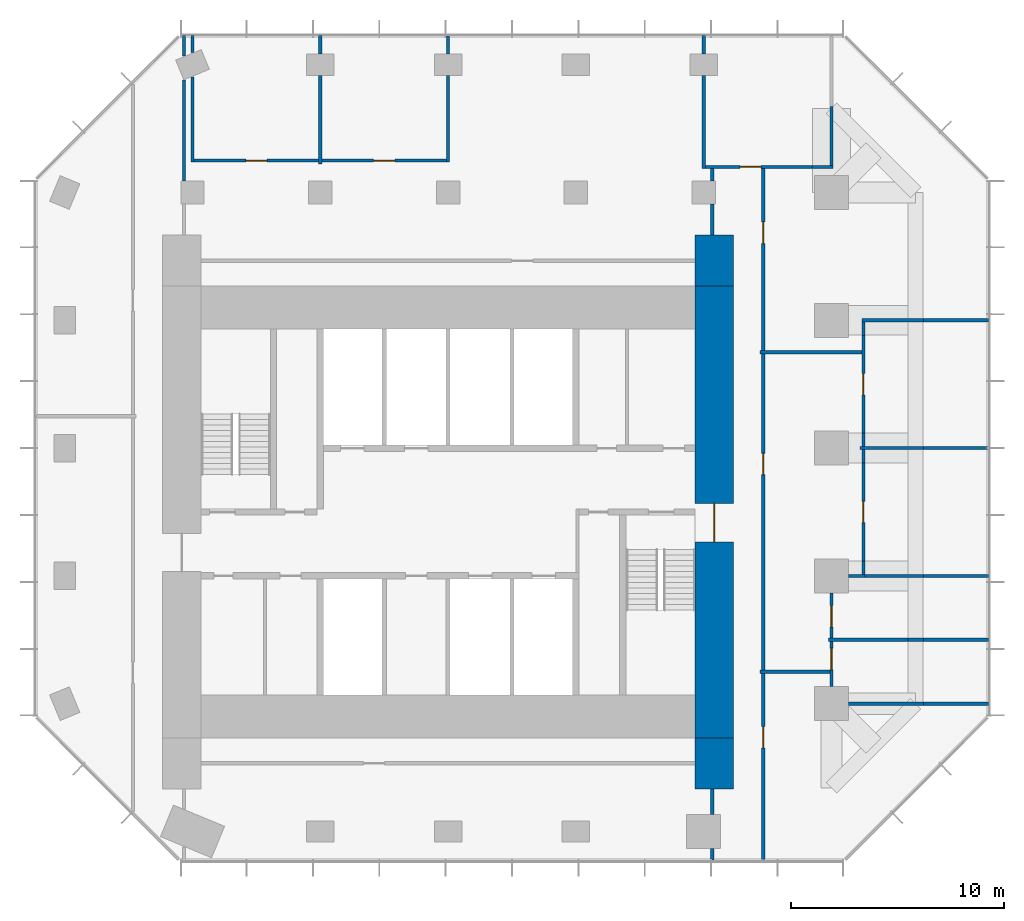
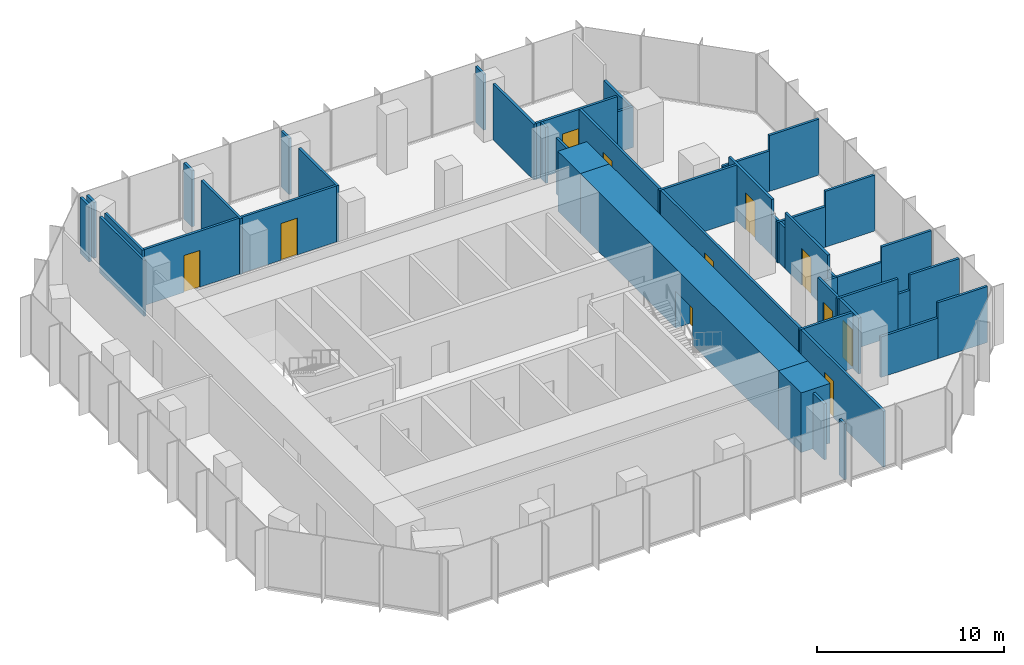
# One storey, part 9 of 11: 47 walls, 11 doors, 11 openings.
"""IFC4 building model written with IfcOpenShell, lengths in metres."""

import ifcopenshell
import ifcopenshell.guid

model = None  # the IFC model being written
_history = None  # IfcOwnerHistory: only IFC2X3 demands one
_inside = {}  # id of a spatial element -> (the spatial element, [elements in it])
_under = {}  # id of a project, library or spatial element -> (it, [spatial elements below it])
_declared = {}  # id of a project -> (the project, [libraries it declares])
_typed = {}  # id of a type object -> (the type object, [elements of that type])
_made_of = {}  # id of a material, layer set ... -> (it, [elements and type objects made of it])


def new_model(schema):
    """Start an empty IFC model of exactly this schema.

    Asked for "IFC4X3", IfcOpenShell would pick the latest addendum, in which some entities
    have other attributes; the version numbers below select the first issue.
    IFC2X3 requires an IfcOwnerHistory on every rooted entity: one is made here for all.
    """
    global model, _history
    if schema == "IFC4X3":
        model = ifcopenshell.file(schema_version=(4, 3, 0, 0))
    else:
        model = ifcopenshell.file(schema=schema)
    _inside.clear()
    _under.clear()
    _declared.clear()
    _typed.clear()
    _made_of.clear()
    _history = None
    if model.schema == "IFC2X3":
        org = make("IfcOrganization", Name="unknown")
        user = make(
            "IfcPersonAndOrganization",
            ThePerson=make("IfcPerson", FamilyName="unknown"),
            TheOrganization=org,
        )
        app = make(
            "IfcApplication",
            ApplicationDeveloper=org,
            Version="unknown",
            ApplicationFullName="unknown",
            ApplicationIdentifier="unknown",
        )
        _history = make(
            "IfcOwnerHistory",
            OwningUser=user,
            OwningApplication=app,
            ChangeAction="ADDED",
            CreationDate=0,
        )
    return model


def make(cls, **values):
    """One entity of the class cls with the attributes given. An attribute that is None is left unset."""
    return model.create_entity(
        cls, **{name: value for name, value in values.items() if value is not None}
    )


def rooted(cls, **values):
    """An entity with a GlobalId (a new one), such as an element, a storey or a relation."""
    return make(cls, GlobalId=ifcopenshell.guid.new(), OwnerHistory=_history, **values)


def si_unit(unit_type, name, prefix=None):
    """IfcSIUnit, for example si_unit("LENGTHUNIT", "METRE", prefix="MILLI")."""
    return make("IfcSIUnit", UnitType=unit_type, Prefix=prefix, Name=name)


def assignment(units):
    """IfcUnitAssignment: the units of a project."""
    return None if units is None else make("IfcUnitAssignment", Units=units)


def point(xyz):
    """IfcCartesianPoint."""
    return None if xyz is None else make("IfcCartesianPoint", Coordinates=xyz)


def direction(xyz):
    """IfcDirection."""
    return None if xyz is None else make("IfcDirection", DirectionRatios=xyz)


def frame(location, z_axis=None, x_axis=None):
    """IfcAxis2Placement3D, a coordinate frame: its origin and axes. An axis left out is left unset."""
    return make(
        "IfcAxis2Placement3D",
        Location=point(location),
        Axis=direction(z_axis),
        RefDirection=direction(x_axis),
    )


def frame_2d(location, x_axis=None):
    """IfcAxis2Placement2D, a coordinate frame in the plane: its origin and x axis."""
    return make(
        "IfcAxis2Placement2D", Location=point(location), RefDirection=direction(x_axis)
    )


def origin():
    """The frame at (0, 0, 0) with its axes left unset."""
    return frame((0.0, 0.0, 0.0))


def place(relative_to, where):
    """IfcLocalPlacement: puts the frame where relative to a parent placement (None: the world)."""
    return make(
        "IfcLocalPlacement", PlacementRelTo=relative_to, RelativePlacement=where
    )


def context(
    kind, dimensions, precision=None, world=None, true_north=None, identifier=None
):
    """IfcGeometricRepresentationContext, for example the 3D "Model" context."""
    return make(
        "IfcGeometricRepresentationContext",
        ContextIdentifier=identifier,
        ContextType=kind,
        CoordinateSpaceDimension=dimensions,
        Precision=precision,
        WorldCoordinateSystem=world,
        TrueNorth=true_north,
    )


def subcontext(parent, identifier, kind, view, scale=None):
    """IfcGeometricRepresentationSubContext, for example "Body" below "Model"."""
    return make(
        "IfcGeometricRepresentationSubContext",
        ContextIdentifier=identifier,
        ContextType=kind,
        ParentContext=parent,
        TargetScale=scale,
        TargetView=view,
    )


def project(units=None, contexts=None):
    """IfcProject with its units and contexts."""
    return rooted(
        "IfcProject",
        Name="project",
        RepresentationContexts=contexts,
        UnitsInContext=assignment(units),
    )


def spatial(cls, under=None, at=None, **own):
    """A site, building, storey or space (cls), placed at a placement, below another one or the project."""
    s = rooted(cls, ObjectPlacement=at, **own)
    if under is not None:
        _under.setdefault(under.id(), (under, []))[1].append(s)
    return s


def profile(cls, at=None, kind="AREA", **sizes):
    """A parametric profile (cls). Its sizes go by their IFC names, for example OverallWidth=200.0."""
    return make(cls, ProfileType=kind, Position=at, **sizes)


def rectangle(**sizes):
    """IfcRectangleProfileDef."""
    return profile("IfcRectangleProfileDef", **sizes)


def extrude(swept, where, along, depth):
    """IfcExtrudedAreaSolid: the profile swept, set in the frame where, extruded along a direction by depth."""
    return make(
        "IfcExtrudedAreaSolid",
        SweptArea=swept,
        Position=where,
        ExtrudedDirection=direction(along),
        Depth=depth,
    )


def shape(context_of_items, identifier, shape_type, items):
    """IfcShapeRepresentation: the items that make up one representation, for example the "Body"."""
    return make(
        "IfcShapeRepresentation",
        ContextOfItems=context_of_items,
        RepresentationIdentifier=identifier,
        RepresentationType=shape_type,
        Items=items,
    )


def material(Name=None, Category=None):
    """IfcMaterial."""
    return make("IfcMaterial", Name=Name, Category=Category)


def layer(
    of_material, thickness, ventilated=None, Name=None, Category=None, Priority=None
):
    """IfcMaterialLayer: one layer of a wall or slab, of a material (None: an air gap)."""
    return make(
        "IfcMaterialLayer",
        Material=of_material,
        LayerThickness=thickness,
        IsVentilated=ventilated,
        Name=Name,
        Category=Category,
        Priority=Priority,
    )


def layer_set(layers, Name=None):
    """IfcMaterialLayerSet."""
    return make("IfcMaterialLayerSet", MaterialLayers=layers, LayerSetName=Name)


def made_of(thing, what):
    """Note that an element or type object is made of a material, layer set ...; save() writes the relation."""
    if what is not None:
        _made_of.setdefault(what.id(), (what, []))[1].append(thing)
    return thing


def type_object(cls, material=None, **own):
    """A type object (cls), such as IfcWallType, which elements share."""
    return made_of(rooted(cls, **own), material)


def element(
    cls,
    number,
    at=None,
    inside=None,
    cuts=None,
    type_object=None,
    material=None,
    context=None,
    identifier="Body",
    shape_type=None,
    held_by="IfcProductDefinitionShape",
    body=None,
    shapes=None,
    **own,
):
    """One element of the class cls, such as IfcWall. Its Tag is "e" and its number.

    at: its placement. inside: the storey or other place that contains it. cuts: it is an
    opening in that element (IfcRelVoidsElement). A single representation is given by context,
    identifier, shape_type and body (its items); several are given by shapes. held_by: the class
    of the entity that holds the representations. save() writes the other relations.
    """
    e = rooted(cls, Tag="e%d" % number, ObjectPlacement=at, **own)
    if body is not None:
        shapes = [shape(context, identifier, shape_type, body)]
    if shapes is not None:
        e.Representation = make(held_by, Representations=shapes)
    if inside is not None:
        _inside.setdefault(inside.id(), (inside, []))[1].append(e)
    if cuts is not None:
        rooted(
            "IfcRelVoidsElement", RelatingBuildingElement=cuts, RelatedOpeningElement=e
        )
    if type_object is not None:
        _typed.setdefault(type_object.id(), (type_object, []))[1].append(e)
    return made_of(e, material)


def fill(opening, filler):
    """IfcRelFillsElement: the door or window that sits in an opening."""
    return rooted(
        "IfcRelFillsElement",
        RelatingOpeningElement=opening,
        RelatedBuildingElement=filler,
    )


def aggregate(whole, parts):
    """IfcRelAggregates: a whole, such as a stair, and the parts it consists of."""
    return rooted("IfcRelAggregates", RelatingObject=whole, RelatedObjects=parts)


def save(model, path):
    """Write the relations noted so far, then the file.

    IfcRelAggregates (storeys below a building ...), IfcRelContainedInSpatialStructure (elements
    in a storey), IfcRelDefinesByType, IfcRelAssociatesMaterial and IfcRelDeclares: one each for
    every whole, place, type object, material and project.
    """
    for whole, parts in _under.values():
        aggregate(whole, parts)
    for where, things in _inside.values():
        rooted(
            "IfcRelContainedInSpatialStructure",
            RelatedElements=things,
            RelatingStructure=where,
        )
    for kind, things in _typed.values():
        rooted("IfcRelDefinesByType", RelatedObjects=things, RelatingType=kind)
    for what, things in _made_of.values():
        rooted("IfcRelAssociatesMaterial", RelatedObjects=things, RelatingMaterial=what)
    for by, libraries in _declared.values():
        rooted("IfcRelDeclares", RelatingContext=by, RelatedDefinitions=libraries)
    model.write(path)


model = new_model("IFC4")

# Units and contexts
model_context = context("Model", 3, precision=1e-05, world=origin(), true_north=direction((0.0, 1.0)))
body_context = subcontext(model_context, "Body", "Model", "MODEL_VIEW")
ifc_project = project(units=[si_unit("LENGTHUNIT", "METRE"), si_unit("AREAUNIT", "SQUARE_METRE"), si_unit("VOLUMEUNIT", "CUBIC_METRE"), si_unit("PLANEANGLEUNIT", "RADIAN"), si_unit("MASSUNIT", "GRAM", prefix="KILO")], contexts=[model_context])

# Site, building, storey
site_placement = place(None, origin())
site = spatial("IfcSite", under=ifc_project, at=site_placement, CompositionType="ELEMENT")
building_placement = place(site_placement, origin())
building = spatial("IfcBuilding", under=site, at=building_placement, Name="Highveld Stack Headquarters", CompositionType="ELEMENT")
storey_placement = place(building_placement, frame((0.0, 0.0, 260.60009765625)))
storey = spatial("IfcBuildingStorey", under=building, at=storey_placement, Name="L64", CompositionType="ELEMENT", Elevation=260.60009765625)

# Wall, opening, door
ifc_material_1 = material(Name="Concrete C60/75", Category="concrete")
ifc_layer_1 = layer(ifc_material_1, 1.800048828125)
ifc_layer_set_1 = layer_set([ifc_layer_1], Name="Concrete C60/75")
wall_type_1 = type_object("IfcWallType", Name="CORE WALL 1800 C60/75", PredefinedType="SHEAR", material=ifc_layer_set_1)
wall_1_placement = place(storey_placement, frame((18.5, -7.60009765625, 0.0), z_axis=(0.0, 0.0, 1.0), x_axis=(0.0, 1.0, 0.0)))
wall_1 = element("IfcWall", 1, at=wall_1_placement, inside=storey, type_object=wall_type_1, Name="Core wall E L64", PredefinedType="SHEAR", context=body_context, shape_type="SweptSolid", body=[
    extrude(rectangle(XDim=21.2001953125, YDim=1.800048828125, at=frame_2d((10.60009765625, 0.0))), origin(), (0.0, 0.0, 1.0), 3.89990234375),
])
opening_1_placement = place(wall_1_placement, frame((9.199951171875, 0.0, 0.0)))
opening_1 = element("IfcOpeningElement", 2, at=opening_1_placement, cuts=wall_1, Name="Opening L64-02", PredefinedType="OPENING", context=body_context, shape_type="SweptSolid", body=[
    extrude(rectangle(XDim=1.800048828125, YDim=2.39990234375, at=frame_2d((0.89990234375, 1.199951171875))), frame((0.0, 0.909912109375, 0.0), z_axis=(0.0, -1.0, 0.0), x_axis=(1.0, 0.0, 0.0)), (0.0, 0.0, 1.0), 1.820068359375),
])
ifc_material_2 = material(Name="Steel fire door", Category="steel")
door_type_1 = type_object("IfcDoorType", Name="LOBBY FIRE DOOR D4 1800x2400", OperationType="DOUBLE_DOOR_SINGLE_SWING", PredefinedType="DOOR", material=ifc_material_2)
door_1_placement = place(opening_1_placement, origin())
door_1 = element("IfcDoor", 3, at=door_1_placement, inside=storey, type_object=door_type_1, Name="Core east door L64", OperationType="DOUBLE_DOOR_SINGLE_SWING", OverallHeight=2.39990234375, OverallWidth=1.800048828125, PredefinedType="DOOR", context=body_context, shape_type="SweptSolid", body=[
    extrude(rectangle(XDim=1.800048828125, YDim=2.39990234375, at=frame_2d((0.89990234375, 1.199951171875))), frame((0.0, 0.02490234375, 0.0), z_axis=(0.0, -1.0, 0.0), x_axis=(1.0, 0.0, 0.0)), (0.0, 0.0, 1.0), 0.050048828125),
])
fill(opening_1, door_1)

# Walls
ifc_material_3 = material(Name="Concrete C60/75", Category="concrete")
ifc_layer_2 = layer(ifc_material_3, 1.800048828125)
ifc_layer_set_2 = layer_set([ifc_layer_2], Name="Concrete C60/75")
wall_type_2 = type_object("IfcWallType", Name="CORE WING WALL 1800 C60/75", PredefinedType="SHEAR", material=ifc_layer_set_2)
for number, where, z_axis, x_axis, name in (
    (4, (18.5, -10.0, 0.0), (0.0, 0.0, 1.0), (0.0, 1.0, 0.0), "Core wing wall ES L64"),
    (5, (18.5, 13.60009765625, 0.0), (0.0, 0.0, 1.0), (0.0, 1.0, 0.0), "Core wing wall EN L64"),
):
    element("IfcWall", number, at=place(storey_placement, frame(where, z_axis=z_axis, x_axis=x_axis)), inside=storey, type_object=wall_type_2, Name=name, PredefinedType="SHEAR", context=body_context, shape_type="SweptSolid", body=[
        extrude(rectangle(XDim=2.39990234375, YDim=1.800048828125, at=frame_2d((1.199951171875, 0.0))), origin(), (0.0, 0.0, 1.0), 3.89990234375),
    ])
ifc_material_4 = material(Name="Gypsum plasterboard on steel studs", Category="steel")
ifc_layer_3 = layer(ifc_material_4, 0.14990234375)
ifc_layer_set_3 = layer_set([ifc_layer_3], Name="Gypsum plasterboard on steel studs")
wall_type_3 = type_object("IfcWallType", Name="PARTITION 150 PLASTERBOARD", PredefinedType="PARTITIONING", material=ifc_layer_set_3)
wall_2_placement = place(storey_placement, frame((24.800048828125, -6.0, 0.0), z_axis=(0.0, 0.0, 1.0), x_axis=(1.0, 0.0, 0.0)))
element("IfcWall", 6, at=wall_2_placement, inside=storey, type_object=wall_type_3, Name="Partition Office L64", PredefinedType="PARTITIONING", context=body_context, shape_type="SweptSolid", body=[
    extrude(rectangle(XDim=3.510009765625, YDim=0.14990234375, at=frame_2d((1.7548828125, 0.0))), origin(), (0.0, 0.0, 1.0), 2.64990234375),
])
wall_3_placement = place(storey_placement, frame((28.31005859375, -6.0, 0.0), z_axis=(0.0, 0.0, 1.0), x_axis=(1.0, 0.0, 0.0)))
element("IfcWall", 7, at=wall_3_placement, inside=storey, type_object=wall_type_3, Name="Partition Office L64", PredefinedType="PARTITIONING", context=body_context, shape_type="SweptSolid", body=[
    extrude(rectangle(XDim=3.06494140625, YDim=0.14990234375, at=frame_2d((1.532470703125, 0.0))), origin(), (0.0, 0.0, 1.0), 3.64990234375),
])
wall_4_placement = place(storey_placement, frame((23.85009765625, -3.0, 0.0), z_axis=(0.0, 0.0, 1.0), x_axis=(1.0, 0.0, 0.0)))
element("IfcWall", 8, at=wall_4_placement, inside=storey, type_object=wall_type_3, Name="Partition Office L64", PredefinedType="PARTITIONING", context=body_context, shape_type="SweptSolid", body=[
    extrude(rectangle(XDim=3.739990234375, YDim=0.14990234375, at=frame_2d((1.8701171875, 0.0))), origin(), (0.0, 0.0, 1.0), 3.64990234375),
])
wall_5_placement = place(storey_placement, frame((27.590087890625, -3.0, 0.0), z_axis=(0.0, 0.0, 1.0), x_axis=(1.0, 0.0, 0.0)))
element("IfcWall", 9, at=wall_5_placement, inside=storey, type_object=wall_type_3, Name="Partition Office L64", PredefinedType="PARTITIONING", context=body_context, shape_type="SweptSolid", body=[
    extrude(rectangle(XDim=0.719970703125, YDim=0.14990234375, at=frame_2d((0.35986328125, 0.0))), origin(), (0.0, 0.0, 1.0), 2.64990234375),
])
wall_6_placement = place(storey_placement, frame((28.31005859375, -3.0, 0.0), z_axis=(0.0, 0.0, 1.0), x_axis=(1.0, 0.0, 0.0)))
element("IfcWall", 10, at=wall_6_placement, inside=storey, type_object=wall_type_3, Name="Partition Office L64", PredefinedType="PARTITIONING", context=body_context, shape_type="SweptSolid", body=[
    extrude(rectangle(XDim=3.06494140625, YDim=0.14990234375, at=frame_2d((1.532470703125, 0.0))), origin(), (0.0, 0.0, 1.0), 3.64990234375),
])
wall_7_placement = place(storey_placement, frame((24.800048828125, 0.0, 0.0), z_axis=(0.0, 0.0, 1.0), x_axis=(1.0, 0.0, 0.0)))
element("IfcWall", 11, at=wall_7_placement, inside=storey, type_object=wall_type_3, Name="Partition Office L64", PredefinedType="PARTITIONING", context=body_context, shape_type="SweptSolid", body=[
    extrude(rectangle(XDim=0.77490234375, YDim=0.14990234375, at=frame_2d((0.387451171875, 0.0))), origin(), (0.0, 0.0, 1.0), 2.64990234375),
])
wall_8_placement = place(storey_placement, frame((25.5, 0.0, 0.0), z_axis=(0.0, 0.0, 1.0), x_axis=(1.0, 0.0, 0.0)))
element("IfcWall", 12, at=wall_8_placement, inside=storey, type_object=wall_type_3, Name="Partition Office / Quiet room L64", PredefinedType="PARTITIONING", context=body_context, shape_type="SweptSolid", body=[
    extrude(rectangle(XDim=2.81005859375, YDim=0.14990234375, at=frame_2d((1.405029296875, 0.0))), origin(), (0.0, 0.0, 1.0), 2.64990234375),
])
wall_9_placement = place(storey_placement, frame((28.31005859375, 0.0, 0.0), z_axis=(0.0, 0.0, 1.0), x_axis=(1.0, 0.0, 0.0)))
element("IfcWall", 13, at=wall_9_placement, inside=storey, type_object=wall_type_3, Name="Partition Office / Quiet room L64", PredefinedType="PARTITIONING", context=body_context, shape_type="SweptSolid", body=[
    extrude(rectangle(XDim=3.06494140625, YDim=0.14990234375, at=frame_2d((1.532470703125, 0.0))), origin(), (0.0, 0.0, 1.0), 3.64990234375),
])
wall_10_placement = place(storey_placement, frame((25.35009765625, 6.0, 0.0), z_axis=(0.0, 0.0, 1.0), x_axis=(1.0, 0.0, 0.0)))
element("IfcWall", 14, at=wall_10_placement, inside=storey, type_object=wall_type_3, Name="Partition Quiet room L64", PredefinedType="PARTITIONING", context=body_context, shape_type="SweptSolid", body=[
    extrude(rectangle(XDim=2.9599609375, YDim=0.14990234375, at=frame_2d((1.47998046875, 0.0))), origin(), (0.0, 0.0, 1.0), 2.64990234375),
])
wall_11_placement = place(storey_placement, frame((28.31005859375, 6.0, 0.0), z_axis=(0.0, 0.0, 1.0), x_axis=(1.0, 0.0, 0.0)))
element("IfcWall", 15, at=wall_11_placement, inside=storey, type_object=wall_type_3, Name="Partition Quiet room L64", PredefinedType="PARTITIONING", context=body_context, shape_type="SweptSolid", body=[
    extrude(rectangle(XDim=3.0400390625, YDim=0.14990234375, at=frame_2d((1.52001953125, 0.0))), origin(), (0.0, 0.0, 1.0), 3.64990234375),
])
wall_12_placement = place(storey_placement, frame((25.425048828125, 12.0, 0.0), z_axis=(0.0, 0.0, 1.0), x_axis=(1.0, 0.0, 0.0)))
element("IfcWall", 16, at=wall_12_placement, inside=storey, type_object=wall_type_3, Name="Partition Quiet room L64", PredefinedType="PARTITIONING", context=body_context, shape_type="SweptSolid", body=[
    extrude(rectangle(XDim=2.885009765625, YDim=0.14990234375, at=frame_2d((1.4423828125, 0.0))), origin(), (0.0, 0.0, 1.0), 2.64990234375),
])
wall_13_placement = place(storey_placement, frame((28.31005859375, 12.0, 0.0), z_axis=(0.0, 0.0, 1.0), x_axis=(1.0, 0.0, 0.0)))
element("IfcWall", 17, at=wall_13_placement, inside=storey, type_object=wall_type_3, Name="Partition Quiet room L64", PredefinedType="PARTITIONING", context=body_context, shape_type="SweptSolid", body=[
    extrude(rectangle(XDim=3.06494140625, YDim=0.14990234375, at=frame_2d((1.532470703125, 0.0))), origin(), (0.0, 0.0, 1.0), 3.64990234375),
])

# Wall, opening, door
wall_14_placement = place(storey_placement, frame((18.074951171875, 19.199951171875, 0.0), z_axis=(0.0, 0.0, 1.0), x_axis=(1.0, 0.0, 0.0)))
wall_14 = element("IfcWall", 18, at=wall_14_placement, inside=storey, type_object=wall_type_3, Name="Partition Tea kitchen L64", PredefinedType="PARTITIONING", context=body_context, shape_type="SweptSolid", body=[
    extrude(rectangle(XDim=5.01513671875, YDim=0.14990234375, at=frame_2d((2.507568359375, 0.0))), origin(), (0.0, 0.0, 1.0), 3.64990234375),
])
opening_2_placement = place(wall_14_placement, frame((1.625, 0.0, 0.0)))
opening_2 = element("IfcOpeningElement", 19, at=opening_2_placement, cuts=wall_14, Name="Opening L64-18", PredefinedType="OPENING", context=body_context, shape_type="SweptSolid", body=[
    extrude(rectangle(XDim=1.0, YDim=2.39990234375, at=frame_2d((0.5, 1.199951171875))), frame((0.0, 0.0849609375, 0.0), z_axis=(0.0, -1.0, 0.0), x_axis=(1.0, 0.0, 0.0)), (0.0, 0.0, 1.0), 0.169921875),
])
ifc_material_5 = material(Name="Timber door, oiled ash", Category="wood")
door_type_2 = type_object("IfcDoorType", Name="ROOM DOOR D11 1000x2400", OperationType="SINGLE_SWING_LEFT", PredefinedType="DOOR", material=ifc_material_5)
door_2_placement = place(opening_2_placement, origin())
door_2 = element("IfcDoor", 20, at=door_2_placement, inside=storey, type_object=door_type_2, Name="Tea kitchen door 1 L64", OperationType="SINGLE_SWING_LEFT", OverallHeight=2.39990234375, OverallWidth=1.0, PredefinedType="DOOR", context=body_context, shape_type="SweptSolid", body=[
    extrude(rectangle(XDim=1.0, YDim=2.39990234375, at=frame_2d((0.5, 1.199951171875))), frame((0.0, 0.02490234375, 0.0), z_axis=(0.0, -1.0, 0.0), x_axis=(1.0, 0.0, 0.0)), (0.0, 0.0, 1.0), 0.050048828125),
])
fill(opening_2, door_2)

# Wall
wall_15_placement = place(storey_placement, frame((23.090087890625, 19.199951171875, 0.0), z_axis=(0.0, 0.0, 1.0), x_axis=(1.0, 0.0, 0.0)))
element("IfcWall", 21, at=wall_15_placement, inside=storey, type_object=wall_type_3, Name="Partition Tea kitchen L64", PredefinedType="PARTITIONING", context=body_context, shape_type="SweptSolid", body=[
    extrude(rectangle(XDim=0.98486328125, YDim=0.14990234375, at=frame_2d((0.492431640625, 0.0))), origin(), (0.0, 0.0, 1.0), 2.64990234375),
])

# Wall, opening, door
wall_16_placement = place(storey_placement, frame((-5.925048828125, 19.5, 0.0), z_axis=(0.0, 0.0, 1.0), x_axis=(1.0, 0.0, 0.0)))
wall_16 = element("IfcWall", 22, at=wall_16_placement, inside=storey, type_object=wall_type_3, Name="Partition Quiet room L64", PredefinedType="PARTITIONING", context=body_context, shape_type="SweptSolid", body=[
    extrude(rectangle(XDim=5.85009765625, YDim=0.14990234375, at=frame_2d((2.925048828125, 0.0))), origin(), (0.0, 0.0, 1.0), 3.64990234375),
])
opening_3_placement = place(wall_16_placement, frame((2.425048828125, 0.0, 0.0)))
opening_3 = element("IfcOpeningElement", 23, at=opening_3_placement, cuts=wall_16, Name="Opening L64-16", PredefinedType="OPENING", context=body_context, shape_type="SweptSolid", body=[
    extrude(rectangle(XDim=1.0, YDim=2.39990234375, at=frame_2d((0.5, 1.199951171875))), frame((0.0, 0.0849609375, 0.0), z_axis=(0.0, -1.0, 0.0), x_axis=(1.0, 0.0, 0.0)), (0.0, 0.0, 1.0), 0.169921875),
])
door_3_placement = place(opening_3_placement, origin())
door_3 = element("IfcDoor", 24, at=door_3_placement, inside=storey, type_object=door_type_2, Name="Quiet room door 1 L64", OperationType="SINGLE_SWING_RIGHT", OverallHeight=2.39990234375, OverallWidth=1.0, PredefinedType="DOOR", context=body_context, shape_type="SweptSolid", body=[
    extrude(rectangle(XDim=1.0, YDim=2.39990234375, at=frame_2d((0.5, 1.199951171875))), frame((0.0, 0.02490234375, 0.0), z_axis=(0.0, -1.0, 0.0), x_axis=(1.0, 0.0, 0.0)), (0.0, 0.0, 1.0), 0.050048828125),
])
fill(opening_3, door_3)

wall_17_placement = place(storey_placement, frame((0.074951171875, 19.5, 0.0), z_axis=(0.0, 0.0, 1.0), x_axis=(1.0, 0.0, 0.0)))
wall_17 = element("IfcWall", 25, at=wall_17_placement, inside=storey, type_object=wall_type_3, Name="Partition Quiet room L64", PredefinedType="PARTITIONING", context=body_context, shape_type="SweptSolid", body=[
    extrude(rectangle(XDim=5.85009765625, YDim=0.14990234375, at=frame_2d((2.925048828125, 0.0))), origin(), (0.0, 0.0, 1.0), 3.64990234375),
])
opening_4_placement = place(wall_17_placement, frame((2.425048828125, 0.0, 0.0)))
opening_4 = element("IfcOpeningElement", 26, at=opening_4_placement, cuts=wall_17, Name="Opening L64-17", PredefinedType="OPENING", context=body_context, shape_type="SweptSolid", body=[
    extrude(rectangle(XDim=1.0, YDim=2.39990234375, at=frame_2d((0.5, 1.199951171875))), frame((0.0, 0.0849609375, 0.0), z_axis=(0.0, -1.0, 0.0), x_axis=(1.0, 0.0, 0.0)), (0.0, 0.0, 1.0), 0.169921875),
])
door_4_placement = place(opening_4_placement, origin())
door_4 = element("IfcDoor", 27, at=door_4_placement, inside=storey, type_object=door_type_2, Name="Quiet room door 1 L64", OperationType="SINGLE_SWING_RIGHT", OverallHeight=2.39990234375, OverallWidth=1.0, PredefinedType="DOOR", context=body_context, shape_type="SweptSolid", body=[
    extrude(rectangle(XDim=1.0, YDim=2.39990234375, at=frame_2d((0.5, 1.199951171875))), frame((0.0, 0.02490234375, 0.0), z_axis=(0.0, -1.0, 0.0), x_axis=(1.0, 0.0, 0.0)), (0.0, 0.0, 1.0), 0.050048828125),
])
fill(opening_4, door_4)

# Walls
wall_18_placement = place(storey_placement, frame((-6.0, 19.425048828125, 0.0), z_axis=(0.0, 0.0, 1.0), x_axis=(0.0, 1.0, 0.0)))
element("IfcWall", 28, at=wall_18_placement, inside=storey, type_object=wall_type_3, Name="Partition Quiet room L64", PredefinedType="PARTITIONING", context=body_context, shape_type="SweptSolid", body=[
    extrude(rectangle(XDim=4.002685546875, YDim=0.14990234375, at=frame_2d((2.00146484375, 0.0))), origin(), (0.0, 0.0, 1.0), 3.64990234375),
])
wall_19_placement = place(storey_placement, frame((-6.0, 24.572265625, 0.0), z_axis=(0.0, 0.0, 1.0), x_axis=(0.0, 1.0, 0.0)))
element("IfcWall", 29, at=wall_19_placement, inside=storey, type_object=wall_type_3, Name="Partition Quiet room L64", PredefinedType="PARTITIONING", context=body_context, shape_type="SweptSolid", body=[
    extrude(rectangle(XDim=0.802734375, YDim=0.14990234375, at=frame_2d((0.4013671875, 0.0))), origin(), (0.0, 0.0, 1.0), 3.64990234375),
])
wall_20_placement = place(storey_placement, frame((0.0, 19.35009765625, 0.0), z_axis=(0.0, 0.0, 1.0), x_axis=(0.0, 1.0, 0.0)))
element("IfcWall", 30, at=wall_20_placement, inside=storey, type_object=wall_type_3, Name="Partition Quiet room L64", PredefinedType="PARTITIONING", context=body_context, shape_type="SweptSolid", body=[
    extrude(rectangle(XDim=4.14990234375, YDim=0.14990234375, at=frame_2d((2.074951171875, 0.0))), origin(), (0.0, 0.0, 1.0), 3.64990234375),
])
wall_21_placement = place(storey_placement, frame((0.0, 24.5, 0.0), z_axis=(0.0, 0.0, 1.0), x_axis=(0.0, 1.0, 0.0)))
element("IfcWall", 31, at=wall_21_placement, inside=storey, type_object=wall_type_3, Name="Partition Quiet room L64", PredefinedType="PARTITIONING", context=body_context, shape_type="SweptSolid", body=[
    extrude(rectangle(XDim=0.875, YDim=0.14990234375, at=frame_2d((0.4375, 0.0))), origin(), (0.0, 0.0, 1.0), 3.64990234375),
])
wall_22_placement = place(storey_placement, frame((6.0, 19.425048828125, 0.0), z_axis=(0.0, 0.0, 1.0), x_axis=(0.0, 1.0, 0.0)))
element("IfcWall", 32, at=wall_22_placement, inside=storey, type_object=wall_type_3, Name="Partition Quiet room L64", PredefinedType="PARTITIONING", context=body_context, shape_type="SweptSolid", body=[
    extrude(rectangle(XDim=4.074951171875, YDim=0.14990234375, at=frame_2d((2.03759765625, 0.0))), origin(), (0.0, 0.0, 1.0), 3.64990234375),
])
wall_23_placement = place(storey_placement, frame((6.0, 24.5, 0.0), z_axis=(0.0, 0.0, 1.0), x_axis=(0.0, 1.0, 0.0)))
element("IfcWall", 33, at=wall_23_placement, inside=storey, type_object=wall_type_3, Name="Partition Quiet room L64", PredefinedType="PARTITIONING", context=body_context, shape_type="SweptSolid", body=[
    extrude(rectangle(XDim=0.85009765625, YDim=0.14990234375, at=frame_2d((0.425048828125, 0.0))), origin(), (0.0, 0.0, 1.0), 3.64990234375),
])
wall_24_placement = place(storey_placement, frame((18.0, 19.125, 0.0), z_axis=(0.0, 0.0, 1.0), x_axis=(0.0, 1.0, 0.0)))
element("IfcWall", 34, at=wall_24_placement, inside=storey, type_object=wall_type_3, Name="Partition Tea kitchen L64", PredefinedType="PARTITIONING", context=body_context, shape_type="SweptSolid", body=[
    extrude(rectangle(XDim=4.375, YDim=0.14990234375, at=frame_2d((2.1875, 0.0))), origin(), (0.0, 0.0, 1.0), 3.64990234375),
])
wall_25_placement = place(storey_placement, frame((18.0, 24.5, 0.0), z_axis=(0.0, 0.0, 1.0), x_axis=(0.0, 1.0, 0.0)))
element("IfcWall", 35, at=wall_25_placement, inside=storey, type_object=wall_type_3, Name="Partition Tea kitchen L64", PredefinedType="PARTITIONING", context=body_context, shape_type="SweptSolid", body=[
    extrude(rectangle(XDim=0.875, YDim=0.14990234375, at=frame_2d((0.4375, 0.0))), origin(), (0.0, 0.0, 1.0), 3.64990234375),
])

# Wall, opening, door
wall_26_placement = place(storey_placement, frame((24.0, -5.199951171875, 0.0), z_axis=(0.0, 0.0, 1.0), x_axis=(0.0, 1.0, 0.0)))
wall_26 = element("IfcWall", 36, at=wall_26_placement, inside=storey, type_object=wall_type_3, Name="Partition Office L64", PredefinedType="PARTITIONING", context=body_context, shape_type="SweptSolid", body=[
    extrude(rectangle(XDim=2.125, YDim=0.14990234375, at=frame_2d((1.0625, 0.0))), origin(), (0.0, 0.0, 1.0), 3.64990234375),
])
opening_5_placement = place(wall_26_placement, frame((0.800048828125, 0.0, 0.0)))
opening_5 = element("IfcOpeningElement", 37, at=opening_5_placement, cuts=wall_26, Name="Opening L64-12", PredefinedType="OPENING", context=body_context, shape_type="SweptSolid", body=[
    extrude(rectangle(XDim=1.0, YDim=2.39990234375, at=frame_2d((0.5, 1.199951171875))), frame((0.0, 0.0849609375, 0.0), z_axis=(0.0, -1.0, 0.0), x_axis=(1.0, 0.0, 0.0)), (0.0, 0.0, 1.0), 0.169921875),
])
door_5_placement = place(opening_5_placement, origin())
door_5 = element("IfcDoor", 38, at=door_5_placement, inside=storey, type_object=door_type_2, Name="Office door 1 L64", OperationType="SINGLE_SWING_RIGHT", OverallHeight=2.39990234375, OverallWidth=1.0, PredefinedType="DOOR", context=body_context, shape_type="SweptSolid", body=[
    extrude(rectangle(XDim=1.0, YDim=2.39990234375, at=frame_2d((0.5, 1.199951171875))), frame((0.0, 0.02490234375, 0.0), z_axis=(0.0, -1.0, 0.0), x_axis=(1.0, 0.0, 0.0)), (0.0, 0.0, 1.0), 0.050048828125),
])
fill(opening_5, door_5)

wall_27_placement = place(storey_placement, frame((24.0, -2.925048828125, 0.0), z_axis=(0.0, 0.0, 1.0), x_axis=(0.0, 1.0, 0.0)))
wall_27 = element("IfcWall", 39, at=wall_27_placement, inside=storey, type_object=wall_type_3, Name="Partition Office L64", PredefinedType="PARTITIONING", context=body_context, shape_type="SweptSolid", body=[
    extrude(rectangle(XDim=2.125, YDim=0.14990234375, at=frame_2d((1.0625, 0.0))), origin(), (0.0, 0.0, 1.0), 3.64990234375),
])
opening_6_placement = place(wall_27_placement, frame((0.52490234375, 0.0, 0.0)))
opening_6 = element("IfcOpeningElement", 40, at=opening_6_placement, cuts=wall_27, Name="Opening L64-13", PredefinedType="OPENING", context=body_context, shape_type="SweptSolid", body=[
    extrude(rectangle(XDim=1.0, YDim=2.39990234375, at=frame_2d((0.5, 1.199951171875))), frame((0.0, 0.0849609375, 0.0), z_axis=(0.0, -1.0, 0.0), x_axis=(1.0, 0.0, 0.0)), (0.0, 0.0, 1.0), 0.169921875),
])
door_6_placement = place(opening_6_placement, origin())
door_6 = element("IfcDoor", 41, at=door_6_placement, inside=storey, type_object=door_type_2, Name="Office door 1 L64", OperationType="SINGLE_SWING_LEFT", OverallHeight=2.39990234375, OverallWidth=1.0, PredefinedType="DOOR", context=body_context, shape_type="SweptSolid", body=[
    extrude(rectangle(XDim=1.0, YDim=2.39990234375, at=frame_2d((0.5, 1.199951171875))), frame((0.0, 0.02490234375, 0.0), z_axis=(0.0, -1.0, 0.0), x_axis=(1.0, 0.0, 0.0)), (0.0, 0.0, 1.0), 0.050048828125),
])
fill(opening_6, door_6)

# Walls
wall_28_placement = place(storey_placement, frame((24.0, 19.27490234375, 0.0), z_axis=(0.0, 0.0, 1.0), x_axis=(0.0, 1.0, 0.0)))
element("IfcWall", 42, at=wall_28_placement, inside=storey, type_object=wall_type_3, Name="Partition Tea kitchen L64", PredefinedType="PARTITIONING", context=body_context, shape_type="SweptSolid", body=[
    extrude(rectangle(XDim=2.77001953125, YDim=0.14990234375, at=frame_2d((1.385009765625, 0.0))), origin(), (0.0, 0.0, 1.0), 2.64990234375),
])
wall_29_placement = place(storey_placement, frame((25.5, 0.074951171875, 0.0), z_axis=(0.0, 0.0, 1.0), x_axis=(0.0, 1.0, 0.0)))
element("IfcWall", 43, at=wall_29_placement, inside=storey, type_object=wall_type_3, Name="Partition Quiet room L64", PredefinedType="PARTITIONING", context=body_context, shape_type="SweptSolid", body=[
    extrude(rectangle(XDim=0.635009765625, YDim=0.14990234375, at=frame_2d((0.3173828125, 0.0))), origin(), (0.0, 0.0, 1.0), 2.64990234375),
])

# Wall, opening, door
wall_30_placement = place(storey_placement, frame((25.5, 0.7099609375, 0.0), z_axis=(0.0, 0.0, 1.0), x_axis=(0.0, 1.0, 0.0)))
wall_30 = element("IfcWall", 44, at=wall_30_placement, inside=storey, type_object=wall_type_3, Name="Partition Quiet room L64", PredefinedType="PARTITIONING", context=body_context, shape_type="SweptSolid", body=[
    extrude(rectangle(XDim=4.580078125, YDim=0.14990234375, at=frame_2d((2.2900390625, 0.0))), origin(), (0.0, 0.0, 1.0), 3.64990234375),
])
opening_7_placement = place(wall_30_placement, frame((1.7900390625, 0.0, 0.0)))
opening_7 = element("IfcOpeningElement", 45, at=opening_7_placement, cuts=wall_30, Name="Opening L64-14", PredefinedType="OPENING", context=body_context, shape_type="SweptSolid", body=[
    extrude(rectangle(XDim=1.0, YDim=2.39990234375, at=frame_2d((0.5, 1.199951171875))), frame((0.0, 0.0849609375, 0.0), z_axis=(0.0, -1.0, 0.0), x_axis=(1.0, 0.0, 0.0)), (0.0, 0.0, 1.0), 0.169921875),
])
door_7_placement = place(opening_7_placement, origin())
door_7 = element("IfcDoor", 46, at=door_7_placement, inside=storey, type_object=door_type_2, Name="Quiet room door 1 L64", OperationType="SINGLE_SWING_RIGHT", OverallHeight=2.39990234375, OverallWidth=1.0, PredefinedType="DOOR", context=body_context, shape_type="SweptSolid", body=[
    extrude(rectangle(XDim=1.0, YDim=2.39990234375, at=frame_2d((0.5, 1.199951171875))), frame((0.0, 0.02490234375, 0.0), z_axis=(0.0, -1.0, 0.0), x_axis=(1.0, 0.0, 0.0)), (0.0, 0.0, 1.0), 0.050048828125),
])
fill(opening_7, door_7)

# Walls
for number, where, z_axis, x_axis, name in (
    (47, (25.5, 5.2900390625, 0.0), (0.0, 0.0, 1.0), (0.0, 1.0, 0.0), "Partition Quiet room L64"),
    (48, (25.5, 6.074951171875, 0.0), (0.0, 0.0, 1.0), (0.0, 1.0, 0.0), "Partition Quiet room L64"),
):
    element("IfcWall", number, at=place(storey_placement, frame(where, z_axis=z_axis, x_axis=x_axis)), inside=storey, type_object=wall_type_3, Name=name, PredefinedType="PARTITIONING", context=body_context, shape_type="SweptSolid", body=[
        extrude(rectangle(XDim=0.635009765625, YDim=0.14990234375, at=frame_2d((0.3173828125, 0.0))), origin(), (0.0, 0.0, 1.0), 2.64990234375),
    ])

# Wall, opening, door
wall_31_placement = place(storey_placement, frame((25.5, 6.7099609375, 0.0), z_axis=(0.0, 0.0, 1.0), x_axis=(0.0, 1.0, 0.0)))
wall_31 = element("IfcWall", 49, at=wall_31_placement, inside=storey, type_object=wall_type_3, Name="Partition Quiet room L64", PredefinedType="PARTITIONING", context=body_context, shape_type="SweptSolid", body=[
    extrude(rectangle(XDim=4.580078125, YDim=0.14990234375, at=frame_2d((2.2900390625, 0.0))), origin(), (0.0, 0.0, 1.0), 3.64990234375),
])
opening_8_placement = place(wall_31_placement, frame((1.7900390625, 0.0, 0.0)))
opening_8 = element("IfcOpeningElement", 50, at=opening_8_placement, cuts=wall_31, Name="Opening L64-15", PredefinedType="OPENING", context=body_context, shape_type="SweptSolid", body=[
    extrude(rectangle(XDim=1.0, YDim=2.39990234375, at=frame_2d((0.5, 1.199951171875))), frame((0.0, 0.0849609375, 0.0), z_axis=(0.0, -1.0, 0.0), x_axis=(1.0, 0.0, 0.0)), (0.0, 0.0, 1.0), 0.169921875),
])
door_8_placement = place(opening_8_placement, origin())
door_8 = element("IfcDoor", 51, at=door_8_placement, inside=storey, type_object=door_type_2, Name="Quiet room door 1 L64", OperationType="SINGLE_SWING_LEFT", OverallHeight=2.39990234375, OverallWidth=1.0, PredefinedType="DOOR", context=body_context, shape_type="SweptSolid", body=[
    extrude(rectangle(XDim=1.0, YDim=2.39990234375, at=frame_2d((0.5, 1.199951171875))), frame((0.0, 0.02490234375, 0.0), z_axis=(0.0, -1.0, 0.0), x_axis=(1.0, 0.0, 0.0)), (0.0, 0.0, 1.0), 0.050048828125),
])
fill(opening_8, door_8)

# Walls
wall_32_placement = place(storey_placement, frame((25.5, 11.2900390625, 0.0), z_axis=(0.0, 0.0, 1.0), x_axis=(0.0, 1.0, 0.0)))
element("IfcWall", 52, at=wall_32_placement, inside=storey, type_object=wall_type_3, Name="Partition Quiet room L64", PredefinedType="PARTITIONING", context=body_context, shape_type="SweptSolid", body=[
    extrude(rectangle(XDim=0.635009765625, YDim=0.14990234375, at=frame_2d((0.3173828125, 0.0))), origin(), (0.0, 0.0, 1.0), 2.64990234375),
])
wall_33_placement = place(storey_placement, frame((-6.39990234375, 18.550048828125, 0.0), z_axis=(0.0, 0.0, 1.0), x_axis=(0.0, 1.0, 0.0)))
element("IfcWall", 53, at=wall_33_placement, inside=storey, type_object=wall_type_3, Name="Partition office neighbourhood L64", PredefinedType="PARTITIONING", context=body_context, shape_type="SweptSolid", body=[
    extrude(rectangle(XDim=4.7392578125, YDim=0.14990234375, at=frame_2d((2.36962890625, 0.0))), origin(), (0.0, 0.0, 1.0), 3.64990234375),
])
wall_34_placement = place(storey_placement, frame((-6.39990234375, 24.406494140625, 0.0), z_axis=(0.0, 0.0, 1.0), x_axis=(0.0, 1.0, 0.0)))
element("IfcWall", 54, at=wall_34_placement, inside=storey, type_object=wall_type_3, Name="Partition office neighbourhood L64", PredefinedType="PARTITIONING", context=body_context, shape_type="SweptSolid", body=[
    extrude(rectangle(XDim=0.968505859375, YDim=0.14990234375, at=frame_2d((0.484375, 0.0))), origin(), (0.0, 0.0, 1.0), 3.64990234375),
])
wall_35_placement = place(storey_placement, frame((18.39990234375, -13.35009765625, 0.0), z_axis=(0.0, 0.0, 1.0), x_axis=(0.0, 1.0, 0.0)))
element("IfcWall", 55, at=wall_35_placement, inside=storey, type_object=wall_type_3, Name="Partition office neighbourhood L64", PredefinedType="PARTITIONING", context=body_context, shape_type="SweptSolid", body=[
    extrude(rectangle(XDim=0.550048828125, YDim=0.14990234375, at=frame_2d((0.27490234375, 0.0))), origin(), (0.0, 0.0, 1.0), 3.64990234375),
])
wall_36_placement = place(storey_placement, frame((18.39990234375, -11.199951171875, 0.0), z_axis=(0.0, 0.0, 1.0), x_axis=(0.0, 1.0, 0.0)))
element("IfcWall", 56, at=wall_36_placement, inside=storey, type_object=wall_type_3, Name="Partition office neighbourhood L64", PredefinedType="PARTITIONING", context=body_context, shape_type="SweptSolid", body=[
    extrude(rectangle(XDim=1.199951171875, YDim=0.14990234375, at=frame_2d((0.60009765625, 0.0))), origin(), (0.0, 0.0, 1.0), 3.64990234375),
])
wall_37_placement = place(storey_placement, frame((18.39990234375, 16.0, 0.0), z_axis=(0.0, 0.0, 1.0), x_axis=(0.0, 1.0, 0.0)))
element("IfcWall", 57, at=wall_37_placement, inside=storey, type_object=wall_type_3, Name="Partition office neighbourhood L64", PredefinedType="PARTITIONING", context=body_context, shape_type="SweptSolid", body=[
    extrude(rectangle(XDim=1.449951171875, YDim=0.14990234375, at=frame_2d((0.72509765625, 0.0))), origin(), (0.0, 0.0, 1.0), 3.64990234375),
])
wall_38_placement = place(storey_placement, frame((18.39990234375, 18.550048828125, 0.0), z_axis=(0.0, 0.0, 1.0), x_axis=(0.0, 1.0, 0.0)))
element("IfcWall", 58, at=wall_38_placement, inside=storey, type_object=wall_type_3, Name="Partition office neighbourhood L64", PredefinedType="PARTITIONING", context=body_context, shape_type="SweptSolid", body=[
    extrude(rectangle(XDim=0.574951171875, YDim=0.14990234375, at=frame_2d((0.28759765625, 0.0))), origin(), (0.0, 0.0, 1.0), 3.64990234375),
])

# Wall, opening, door
wall_39_placement = place(storey_placement, frame((20.800048828125, -13.375, 0.0), z_axis=(0.0, 0.0, 1.0), x_axis=(0.0, 1.0, 0.0)))
wall_39 = element("IfcWall", 59, at=wall_39_placement, inside=storey, type_object=wall_type_3, Name="Partition office neighbourhood L64", PredefinedType="PARTITIONING", context=body_context, shape_type="SweptSolid", body=[
    extrude(rectangle(XDim=8.800048828125, YDim=0.14990234375, at=frame_2d((4.39990234375, 0.0))), origin(), (0.0, 0.0, 1.0), 3.64990234375),
])
opening_9_placement = place(wall_39_placement, frame((5.294921875, 0.0, 0.0)))
opening_9 = element("IfcOpeningElement", 60, at=opening_9_placement, cuts=wall_39, Name="Opening L64-20", PredefinedType="OPENING", context=body_context, shape_type="SweptSolid", body=[
    extrude(rectangle(XDim=1.0, YDim=2.39990234375, at=frame_2d((0.5, 1.199951171875))), frame((0.0, 0.0849609375, 0.0), z_axis=(0.0, -1.0, 0.0), x_axis=(1.0, 0.0, 0.0)), (0.0, 0.0, 1.0), 0.169921875),
])
door_9_placement = place(opening_9_placement, origin())
door_9 = element("IfcDoor", 61, at=door_9_placement, inside=storey, type_object=door_type_2, Name="Office neighbourhood door L64", OperationType="SINGLE_SWING_RIGHT", OverallHeight=2.39990234375, OverallWidth=1.0, PredefinedType="DOOR", context=body_context, shape_type="SweptSolid", body=[
    extrude(rectangle(XDim=1.0, YDim=2.39990234375, at=frame_2d((0.5, 1.199951171875))), frame((0.0, 0.02490234375, 0.0), z_axis=(0.0, -1.0, 0.0), x_axis=(1.0, 0.0, 0.0)), (0.0, 0.0, 1.0), 0.050048828125),
])
fill(opening_9, door_9)

wall_40_placement = place(storey_placement, frame((20.800048828125, -4.425048828125, 0.0), z_axis=(0.0, 0.0, 1.0), x_axis=(0.0, 1.0, 0.0)))
wall_40 = element("IfcWall", 62, at=wall_40_placement, inside=storey, type_object=wall_type_3, Name="Partition office neighbourhood L64", PredefinedType="PARTITIONING", context=body_context, shape_type="SweptSolid", body=[
    extrude(rectangle(XDim=14.85009765625, YDim=0.14990234375, at=frame_2d((7.425048828125, 0.0))), origin(), (0.0, 0.0, 1.0), 3.64990234375),
])
opening_10_placement = place(wall_40_placement, frame((9.175048828125, 0.0, 0.0)))
opening_10 = element("IfcOpeningElement", 63, at=opening_10_placement, cuts=wall_40, Name="Opening L64-22", PredefinedType="OPENING", context=body_context, shape_type="SweptSolid", body=[
    extrude(rectangle(XDim=1.0, YDim=2.39990234375, at=frame_2d((0.5, 1.199951171875))), frame((0.0, 0.0849609375, 0.0), z_axis=(0.0, -1.0, 0.0), x_axis=(1.0, 0.0, 0.0)), (0.0, 0.0, 1.0), 0.169921875),
])
door_10_placement = place(opening_10_placement, origin())
door_10 = element("IfcDoor", 64, at=door_10_placement, inside=storey, type_object=door_type_2, Name="Office neighbourhood door L64", OperationType="SINGLE_SWING_RIGHT", OverallHeight=2.39990234375, OverallWidth=1.0, PredefinedType="DOOR", context=body_context, shape_type="SweptSolid", body=[
    extrude(rectangle(XDim=1.0, YDim=2.39990234375, at=frame_2d((0.5, 1.199951171875))), frame((0.0, 0.02490234375, 0.0), z_axis=(0.0, -1.0, 0.0), x_axis=(1.0, 0.0, 0.0)), (0.0, 0.0, 1.0), 0.050048828125),
])
fill(opening_10, door_10)

# Wall
wall_41_placement = place(storey_placement, frame((20.64990234375, -4.5, 0.0), z_axis=(0.0, 0.0, 1.0), x_axis=(1.0, 0.0, 0.0)))
element("IfcWall", 65, at=wall_41_placement, inside=storey, type_object=wall_type_3, Name="Partition office neighbourhood L64", PredefinedType="PARTITIONING", context=body_context, shape_type="SweptSolid", body=[
    extrude(rectangle(XDim=3.275146484375, YDim=0.14990234375, at=frame_2d((1.6376953125, 0.0))), origin(), (0.0, 0.0, 1.0), 3.64990234375),
])

# Wall, opening, door
wall_42_placement = place(storey_placement, frame((20.800048828125, 10.574951171875, 0.0), z_axis=(0.0, 0.0, 1.0), x_axis=(0.0, 1.0, 0.0)))
wall_42 = element("IfcWall", 66, at=wall_42_placement, inside=storey, type_object=wall_type_3, Name="Partition office neighbourhood L64", PredefinedType="PARTITIONING", context=body_context, shape_type="SweptSolid", body=[
    extrude(rectangle(XDim=8.550048828125, YDim=0.14990234375, at=frame_2d((4.27490234375, 0.0))), origin(), (0.0, 0.0, 1.0), 3.64990234375),
])
opening_11_placement = place(wall_42_placement, frame((5.031005859375, 0.0, 0.0)))
opening_11 = element("IfcOpeningElement", 67, at=opening_11_placement, cuts=wall_42, Name="Opening L64-24", PredefinedType="OPENING", context=body_context, shape_type="SweptSolid", body=[
    extrude(rectangle(XDim=1.0, YDim=2.39990234375, at=frame_2d((0.5, 1.199951171875))), frame((0.0, 0.0849609375, 0.0), z_axis=(0.0, -1.0, 0.0), x_axis=(1.0, 0.0, 0.0)), (0.0, 0.0, 1.0), 0.169921875),
])
door_11_placement = place(opening_11_placement, origin())
door_11 = element("IfcDoor", 68, at=door_11_placement, inside=storey, type_object=door_type_2, Name="Office neighbourhood door L64", OperationType="SINGLE_SWING_RIGHT", OverallHeight=2.39990234375, OverallWidth=1.0, PredefinedType="DOOR", context=body_context, shape_type="SweptSolid", body=[
    extrude(rectangle(XDim=1.0, YDim=2.39990234375, at=frame_2d((0.5, 1.199951171875))), frame((0.0, 0.02490234375, 0.0), z_axis=(0.0, -1.0, 0.0), x_axis=(1.0, 0.0, 0.0)), (0.0, 0.0, 1.0), 0.050048828125),
])
fill(opening_11, door_11)

# Wall
wall_43_placement = place(storey_placement, frame((20.64990234375, 10.5, 0.0), z_axis=(0.0, 0.0, 1.0), x_axis=(1.0, 0.0, 0.0)))
element("IfcWall", 69, at=wall_43_placement, inside=storey, type_object=wall_type_3, Name="Partition office neighbourhood L64", PredefinedType="PARTITIONING", context=body_context, shape_type="SweptSolid", body=[
    extrude(rectangle(XDim=4.775146484375, YDim=0.14990234375, at=frame_2d((2.3876953125, 0.0))), origin(), (0.0, 0.0, 1.0), 3.64990234375),
])

save(model, "model.ifc")
